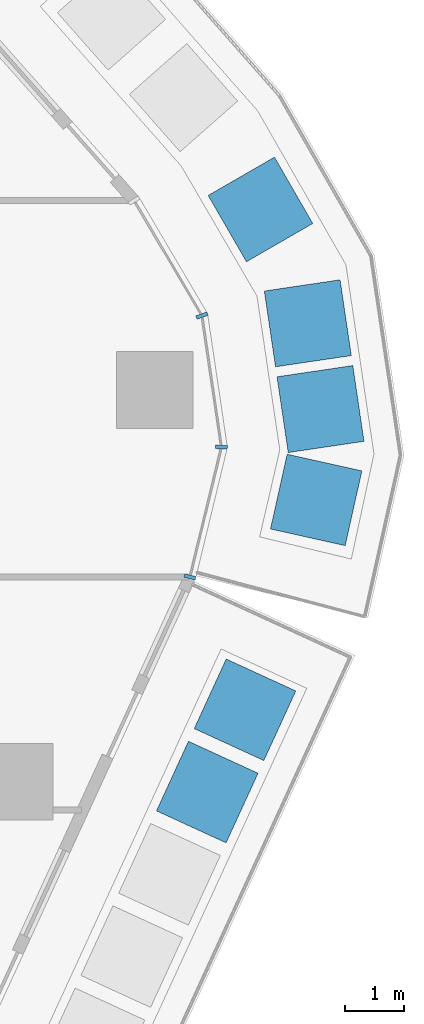
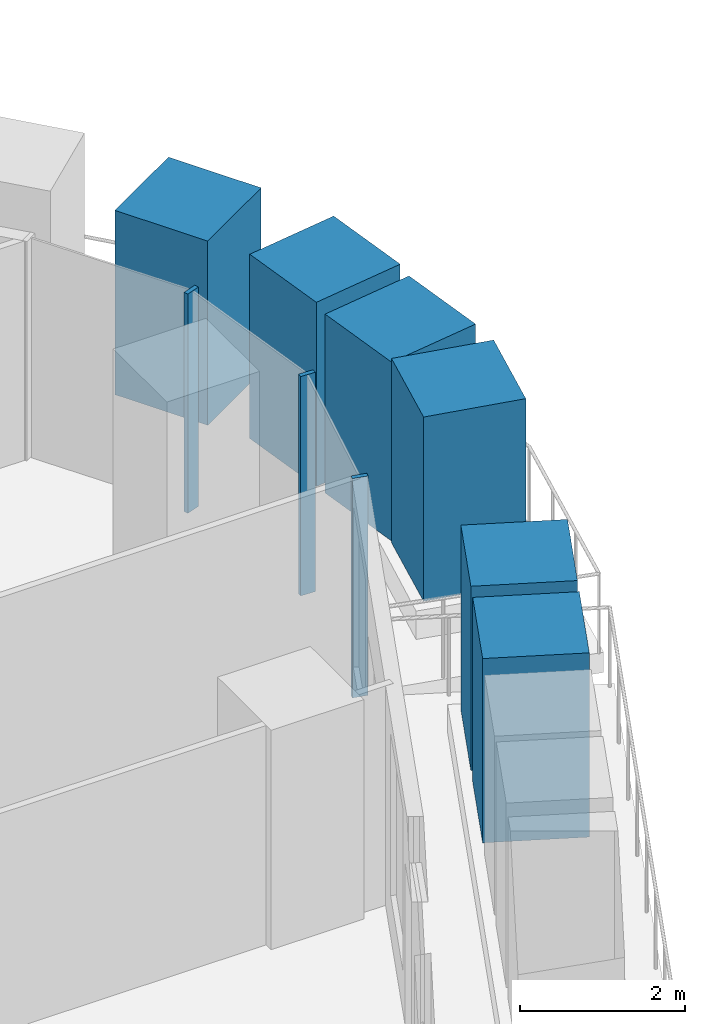
# One storey, part 9 of 26: 9 members, 1 element without a shape of its own.
"""IFC4 building model written with IfcOpenShell, lengths in metres."""

import ifcopenshell
import ifcopenshell.guid

model = None  # the IFC model being written
_history = None  # IfcOwnerHistory: only IFC2X3 demands one
_inside = {}  # id of a spatial element -> (the spatial element, [elements in it])
_under = {}  # id of a project, library or spatial element -> (it, [spatial elements below it])
_declared = {}  # id of a project -> (the project, [libraries it declares])
_typed = {}  # id of a type object -> (the type object, [elements of that type])
_made_of = {}  # id of a material, layer set ... -> (it, [elements and type objects made of it])


def new_model(schema):
    """Start an empty IFC model of exactly this schema.

    Asked for "IFC4X3", IfcOpenShell would pick the latest addendum, in which some entities
    have other attributes; the version numbers below select the first issue.
    IFC2X3 requires an IfcOwnerHistory on every rooted entity: one is made here for all.
    """
    global model, _history
    if schema == "IFC4X3":
        model = ifcopenshell.file(schema_version=(4, 3, 0, 0))
    else:
        model = ifcopenshell.file(schema=schema)
    _inside.clear()
    _under.clear()
    _declared.clear()
    _typed.clear()
    _made_of.clear()
    _history = None
    if model.schema == "IFC2X3":
        org = make("IfcOrganization", Name="unknown")
        user = make(
            "IfcPersonAndOrganization",
            ThePerson=make("IfcPerson", FamilyName="unknown"),
            TheOrganization=org,
        )
        app = make(
            "IfcApplication",
            ApplicationDeveloper=org,
            Version="unknown",
            ApplicationFullName="unknown",
            ApplicationIdentifier="unknown",
        )
        _history = make(
            "IfcOwnerHistory",
            OwningUser=user,
            OwningApplication=app,
            ChangeAction="ADDED",
            CreationDate=0,
        )
    return model


def make(cls, **values):
    """One entity of the class cls with the attributes given. An attribute that is None is left unset."""
    return model.create_entity(
        cls, **{name: value for name, value in values.items() if value is not None}
    )


def rooted(cls, **values):
    """An entity with a GlobalId (a new one), such as an element, a storey or a relation."""
    return make(cls, GlobalId=ifcopenshell.guid.new(), OwnerHistory=_history, **values)


def si_unit(unit_type, name, prefix=None):
    """IfcSIUnit, for example si_unit("LENGTHUNIT", "METRE", prefix="MILLI")."""
    return make("IfcSIUnit", UnitType=unit_type, Prefix=prefix, Name=name)


def assignment(units):
    """IfcUnitAssignment: the units of a project."""
    return None if units is None else make("IfcUnitAssignment", Units=units)


def point(xyz):
    """IfcCartesianPoint."""
    return None if xyz is None else make("IfcCartesianPoint", Coordinates=xyz)


def direction(xyz):
    """IfcDirection."""
    return None if xyz is None else make("IfcDirection", DirectionRatios=xyz)


def frame(location, z_axis=None, x_axis=None):
    """IfcAxis2Placement3D, a coordinate frame: its origin and axes. An axis left out is left unset."""
    return make(
        "IfcAxis2Placement3D",
        Location=point(location),
        Axis=direction(z_axis),
        RefDirection=direction(x_axis),
    )


def frame_2d(location, x_axis=None):
    """IfcAxis2Placement2D, a coordinate frame in the plane: its origin and x axis."""
    return make(
        "IfcAxis2Placement2D", Location=point(location), RefDirection=direction(x_axis)
    )


def origin():
    """The frame at (0, 0, 0) with its axes left unset."""
    return frame((0.0, 0.0, 0.0))


def origin_2d():
    """The frame at (0, 0) in the plane with its x axis left unset."""
    return frame_2d((0.0, 0.0))


def place(relative_to, where):
    """IfcLocalPlacement: puts the frame where relative to a parent placement (None: the world)."""
    return make(
        "IfcLocalPlacement", PlacementRelTo=relative_to, RelativePlacement=where
    )


def context(
    kind, dimensions, precision=None, world=None, true_north=None, identifier=None
):
    """IfcGeometricRepresentationContext, for example the 3D "Model" context."""
    return make(
        "IfcGeometricRepresentationContext",
        ContextIdentifier=identifier,
        ContextType=kind,
        CoordinateSpaceDimension=dimensions,
        Precision=precision,
        WorldCoordinateSystem=world,
        TrueNorth=true_north,
    )


def subcontext(parent, identifier, kind, view, scale=None):
    """IfcGeometricRepresentationSubContext, for example "Body" below "Model"."""
    return make(
        "IfcGeometricRepresentationSubContext",
        ContextIdentifier=identifier,
        ContextType=kind,
        ParentContext=parent,
        TargetScale=scale,
        TargetView=view,
    )


def project(units=None, contexts=None):
    """IfcProject with its units and contexts."""
    return rooted(
        "IfcProject",
        Name="project",
        RepresentationContexts=contexts,
        UnitsInContext=assignment(units),
    )


def spatial(cls, under=None, at=None, **own):
    """A site, building, storey or space (cls), placed at a placement, below another one or the project."""
    s = rooted(cls, ObjectPlacement=at, **own)
    if under is not None:
        _under.setdefault(under.id(), (under, []))[1].append(s)
    return s


def profile(cls, at=None, kind="AREA", **sizes):
    """A parametric profile (cls). Its sizes go by their IFC names, for example OverallWidth=200.0."""
    return make(cls, ProfileType=kind, Position=at, **sizes)


def rectangle(**sizes):
    """IfcRectangleProfileDef."""
    return profile("IfcRectangleProfileDef", **sizes)


def extrude(swept, where, along, depth):
    """IfcExtrudedAreaSolid: the profile swept, set in the frame where, extruded along a direction by depth."""
    return make(
        "IfcExtrudedAreaSolid",
        SweptArea=swept,
        Position=where,
        ExtrudedDirection=direction(along),
        Depth=depth,
    )


def shape(context_of_items, identifier, shape_type, items):
    """IfcShapeRepresentation: the items that make up one representation, for example the "Body"."""
    return make(
        "IfcShapeRepresentation",
        ContextOfItems=context_of_items,
        RepresentationIdentifier=identifier,
        RepresentationType=shape_type,
        Items=items,
    )


def material(Name=None, Category=None):
    """IfcMaterial."""
    return make("IfcMaterial", Name=Name, Category=Category)


def layer(
    of_material, thickness, ventilated=None, Name=None, Category=None, Priority=None
):
    """IfcMaterialLayer: one layer of a wall or slab, of a material (None: an air gap)."""
    return make(
        "IfcMaterialLayer",
        Material=of_material,
        LayerThickness=thickness,
        IsVentilated=ventilated,
        Name=Name,
        Category=Category,
        Priority=Priority,
    )


def layer_set(layers, Name=None):
    """IfcMaterialLayerSet."""
    return make("IfcMaterialLayerSet", MaterialLayers=layers, LayerSetName=Name)


def material_profile(
    of_material, cross_section, Name=None, Category=None, Priority=None
):
    """IfcMaterialProfile: a cross section and its material."""
    return make(
        "IfcMaterialProfile",
        Name=Name,
        Material=of_material,
        Profile=cross_section,
        Priority=Priority,
        Category=Category,
    )


def profile_set(profiles, Name=None, composite=None):
    """IfcMaterialProfileSet."""
    return make(
        "IfcMaterialProfileSet",
        Name=Name,
        MaterialProfiles=profiles,
        CompositeProfile=composite,
    )


def made_of(thing, what):
    """Note that an element or type object is made of a material, layer set ...; save() writes the relation."""
    if what is not None:
        _made_of.setdefault(what.id(), (what, []))[1].append(thing)
    return thing


def type_object(cls, material=None, **own):
    """A type object (cls), such as IfcWallType, which elements share."""
    return made_of(rooted(cls, **own), material)


def element(
    cls,
    number,
    at=None,
    inside=None,
    cuts=None,
    type_object=None,
    material=None,
    context=None,
    identifier="Body",
    shape_type=None,
    held_by="IfcProductDefinitionShape",
    body=None,
    shapes=None,
    **own,
):
    """One element of the class cls, such as IfcWall. Its Tag is "e" and its number.

    at: its placement. inside: the storey or other place that contains it. cuts: it is an
    opening in that element (IfcRelVoidsElement). A single representation is given by context,
    identifier, shape_type and body (its items); several are given by shapes. held_by: the class
    of the entity that holds the representations. save() writes the other relations.
    """
    e = rooted(cls, Tag="e%d" % number, ObjectPlacement=at, **own)
    if body is not None:
        shapes = [shape(context, identifier, shape_type, body)]
    if shapes is not None:
        e.Representation = make(held_by, Representations=shapes)
    if inside is not None:
        _inside.setdefault(inside.id(), (inside, []))[1].append(e)
    if cuts is not None:
        rooted(
            "IfcRelVoidsElement", RelatingBuildingElement=cuts, RelatedOpeningElement=e
        )
    if type_object is not None:
        _typed.setdefault(type_object.id(), (type_object, []))[1].append(e)
    return made_of(e, material)


def aggregate(whole, parts):
    """IfcRelAggregates: a whole, such as a stair, and the parts it consists of."""
    return rooted("IfcRelAggregates", RelatingObject=whole, RelatedObjects=parts)


def save(model, path):
    """Write the relations noted so far, then the file.

    IfcRelAggregates (storeys below a building ...), IfcRelContainedInSpatialStructure (elements
    in a storey), IfcRelDefinesByType, IfcRelAssociatesMaterial and IfcRelDeclares: one each for
    every whole, place, type object, material and project.
    """
    for whole, parts in _under.values():
        aggregate(whole, parts)
    for where, things in _inside.values():
        rooted(
            "IfcRelContainedInSpatialStructure",
            RelatedElements=things,
            RelatingStructure=where,
        )
    for kind, things in _typed.values():
        rooted("IfcRelDefinesByType", RelatedObjects=things, RelatingType=kind)
    for what, things in _made_of.values():
        rooted("IfcRelAssociatesMaterial", RelatedObjects=things, RelatingMaterial=what)
    for by, libraries in _declared.values():
        rooted("IfcRelDeclares", RelatingContext=by, RelatedDefinitions=libraries)
    model.write(path)


model = new_model("IFC4")

# Units and contexts
model_context = context("Model", 3, precision=1e-05, world=origin(), true_north=direction((0.0, 1.0)))
body_context = subcontext(model_context, "Body", "Model", "MODEL_VIEW")
ifc_project = project(units=[si_unit("LENGTHUNIT", "METRE"), si_unit("AREAUNIT", "SQUARE_METRE"), si_unit("VOLUMEUNIT", "CUBIC_METRE"), si_unit("PLANEANGLEUNIT", "RADIAN"), si_unit("MASSUNIT", "GRAM", prefix="KILO")], contexts=[model_context])

# Site, building, storey
site_placement = place(None, origin())
site = spatial("IfcSite", under=ifc_project, at=site_placement, CompositionType="ELEMENT")
building_placement = place(site_placement, origin())
building = spatial("IfcBuilding", under=site, at=building_placement, Name="Dongbaek Canopy Tower", CompositionType="ELEMENT")
storey_placement = place(building_placement, frame((0.0, 0.0, 95.199951171875)))
storey = spatial("IfcBuildingStorey", under=building, at=storey_placement, Name="L19", CompositionType="ELEMENT", Elevation=95.199951171875)

# Curtain wall, members
ifc_material_1 = material(Name="Aluminium 6063-T6 pale anodised", Category="aluminium")
ifc_layer = layer(ifc_material_1, 0.199951171875)
ifc_layer_set = layer_set([ifc_layer], Name="CW-1 unitised tower curtain wall")
curtain_wall_type = type_object("IfcCurtainWallType", Name="CW-1 unitised tower curtain wall", PredefinedType="NOTDEFINED", material=ifc_layer_set)
curtain_wall_placement = place(storey_placement, origin())
curtain_wall = element("IfcCurtainWall", 1, at=curtain_wall_placement, inside=storey, type_object=curtain_wall_type, Name="CW-1 curtain wall K0.1", PredefinedType="NOTDEFINED")
ifc_material_2 = material(Name="Aluminium 6063-T6 pale anodised", Category="aluminium")
ifc_material_profile_1 = material_profile(ifc_material_2, rectangle(XDim=0.199951171875, YDim=0.06005859375, at=origin_2d()), Name="CW-1 mullion 60 x 200")
ifc_profile_set_1 = profile_set([ifc_material_profile_1], Name="Aluminium 6063-T6 pale anodised")
member_type_1 = type_object("IfcMemberType", Name="CW-1 mullion 60 x 200", PredefinedType="MULLION", material=ifc_profile_set_1)
member_1_placement = place(storey_placement, frame((30.406494140625, 3.31005859375, 0.0), z_axis=(0.0, 0.0, 1.0), x_axis=(0.971859362061, -0.235561839809, 0.0)))
member_1 = element("IfcMember", 2, at=member_1_placement, type_object=member_type_1, Name="CW-1 mullion K0.1.1", PredefinedType="MULLION", context=body_context, shape_type="SweptSolid", body=[
    extrude(rectangle(XDim=0.199951171875, YDim=0.06005859375, at=origin_2d()), origin(), (0.0, 0.0, 1.0), 3.25),
])
member_2_placement = place(storey_placement, frame((30.9404296875, 5.5126953125, 0.0), z_axis=(0.0, 0.0, 1.0), x_axis=(0.998973563193, -0.045297020221, 0.0)))
member_2 = element("IfcMember", 3, at=member_2_placement, type_object=member_type_1, Name="CW-1 mullion K0.1.2", PredefinedType="MULLION", context=body_context, shape_type="SweptSolid", body=[
    extrude(rectangle(XDim=0.199951171875, YDim=0.06005859375, at=origin_2d()), origin(), (0.0, 0.0, 1.0), 3.25),
])
member_3_placement = place(storey_placement, frame((30.609619140625, 7.744873046875, 0.0), z_axis=(0.0, 0.0, 1.0), x_axis=(0.94286943017, 0.333162479357, 0.0)))
member_3 = element("IfcMember", 4, at=member_3_placement, type_object=member_type_1, Name="CW-1 mullion K0.1.3", PredefinedType="MULLION", context=body_context, shape_type="SweptSolid", body=[
    extrude(rectangle(XDim=0.199951171875, YDim=0.06005859375, at=origin_2d()), origin(), (0.0, 0.0, 1.0), 3.25),
])
aggregate(curtain_wall, [member_1, member_2, member_3])

# Members
ifc_material_3 = material(Name="Concrete C40/50 planter mass with planting", Category="concrete")
ifc_material_profile_2 = material_profile(ifc_material_3, rectangle(XDim=1.300048828125, YDim=1.300048828125, at=origin_2d()), Name="Terrace PLANTER shrub mass 1300 x 1300")
ifc_profile_set_2 = profile_set([ifc_material_profile_2], Name="Concrete C40/50 planter mass with planting")
member_type_2 = type_object("IfcMemberType", Name="Terrace PLANTER shrub mass 1300 x 1300", PredefinedType="USERDEFINED", material=ifc_profile_set_2)
member_4_placement = place(storey_placement, frame((32.549072265625, 4.616943359375, 0.420166015625), z_axis=(0.0, 0.0, 1.0), x_axis=(0.976094112802, -0.217348298712, 0.0)))
element("IfcMember", 5, at=member_4_placement, inside=storey, type_object=member_type_2, Name="Planter shrubs L19 6.1", ObjectType="PLANTER", PredefinedType="USERDEFINED", context=body_context, shape_type="SweptSolid", body=[
    extrude(rectangle(XDim=1.300048828125, YDim=1.300048828125, at=origin_2d()), origin(), (0.0, 0.0, 1.0), 2.72998046875),
])
member_5_placement = place(storey_placement, frame((32.62255859375, 6.158935546875, 0.420166015625), z_axis=(0.0, 0.0, 1.0), x_axis=(0.989189795198, 0.146640884737, 0.0)))
element("IfcMember", 6, at=member_5_placement, inside=storey, type_object=member_type_2, Name="Planter shrubs L19 6.2", ObjectType="PLANTER", PredefinedType="USERDEFINED", context=body_context, shape_type="SweptSolid", body=[
    extrude(rectangle(XDim=1.300048828125, YDim=1.300048828125, at=origin_2d()), origin(), (0.0, 0.0, 1.0), 2.64990234375),
])
for number, where, z_axis, x_axis, name in (
    (7, (32.406982421875, 7.6142578125, 0.420166015625), (0.0, 0.0, 1.0), (0.989189795198, 0.146640884737, 0.0), "Planter shrubs L19 6.3"),
    (8, (31.603515625, 9.546142578125, 0.420166015625), (0.0, 0.0, 1.0), (0.865959707109, 0.500113772719, 0.0), "Planter shrubs L19 6.4"),
    (9, (30.700927734375, -0.34033203125, 0.420166015625), (0.0, 0.0, 1.0), (0.908848678728, -0.417125975185, 0.0), "Planter shrubs L19 5.12"),
    (10, (31.341552734375, 1.055908203125, 0.420166015625), (0.0, 0.0, 1.0), (0.908848678728, -0.417125975185, 0.0), "Planter shrubs L19 5.13"),
):
    element("IfcMember", number, at=place(storey_placement, frame(where, z_axis=z_axis, x_axis=x_axis)), inside=storey, type_object=member_type_2, Name=name, ObjectType="PLANTER", PredefinedType="USERDEFINED", context=body_context, shape_type="SweptSolid", body=[
        extrude(rectangle(XDim=1.300048828125, YDim=1.300048828125, at=origin_2d()), origin(), (0.0, 0.0, 1.0), 2.72998046875),
    ])

save(model, "model.ifc")
